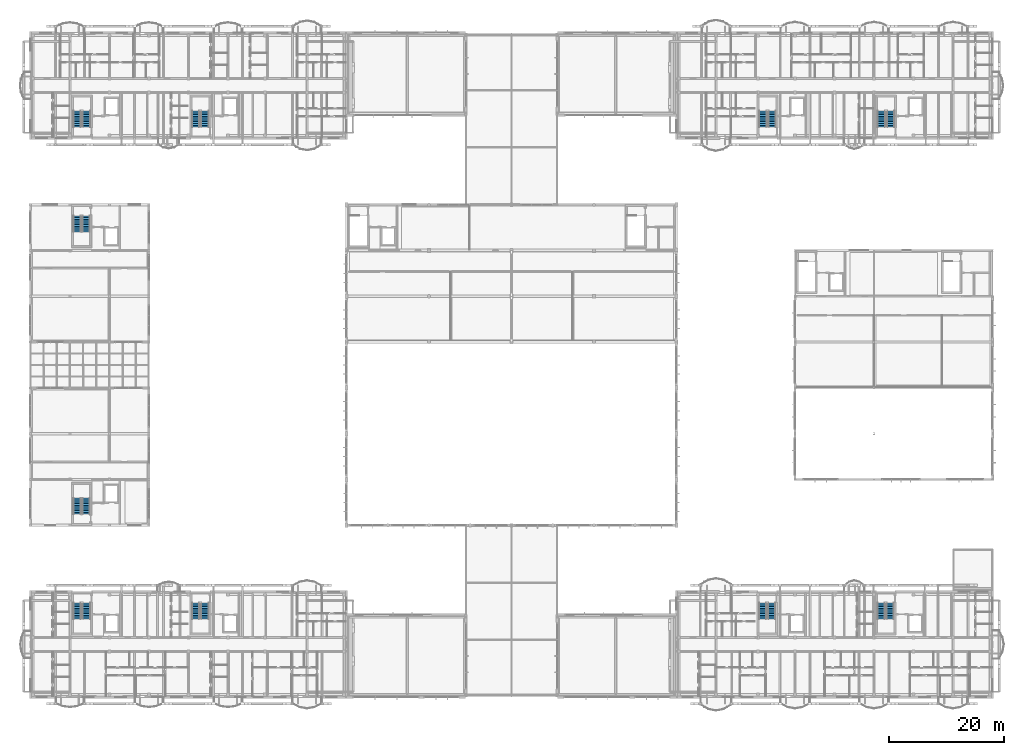
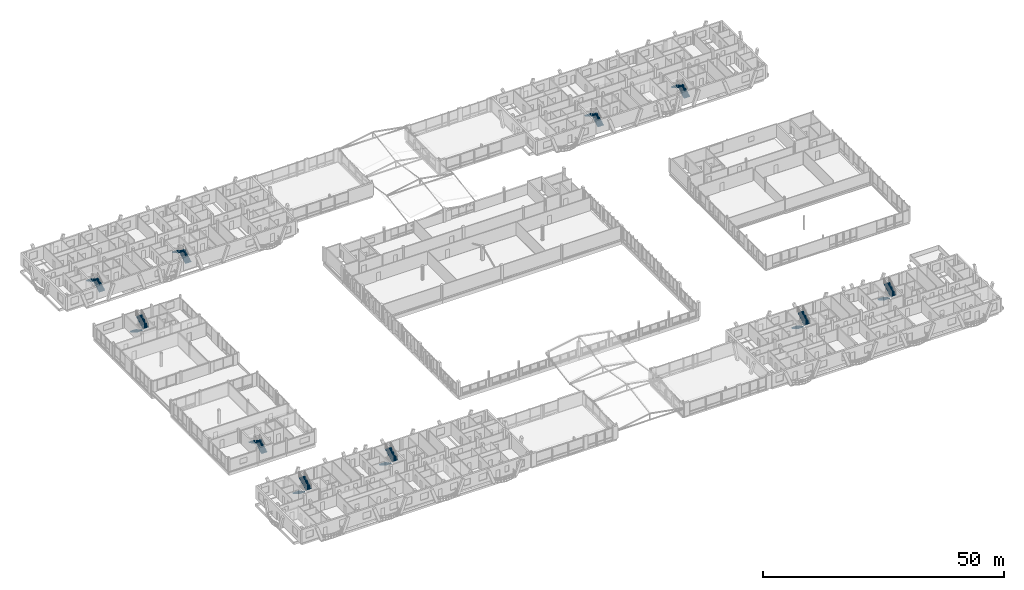
# One storey, part 168 of 189: 20 stair flights, 10 elements without a shape of their own.
"""IFC4 building model written with IfcOpenShell, lengths in metres."""

import ifcopenshell
import ifcopenshell.guid

model = None  # the IFC model being written
_history = None  # IfcOwnerHistory: only IFC2X3 demands one
_inside = {}  # id of a spatial element -> (the spatial element, [elements in it])
_under = {}  # id of a project, library or spatial element -> (it, [spatial elements below it])
_declared = {}  # id of a project -> (the project, [libraries it declares])
_typed = {}  # id of a type object -> (the type object, [elements of that type])
_made_of = {}  # id of a material, layer set ... -> (it, [elements and type objects made of it])


def new_model(schema):
    """Start an empty IFC model of exactly this schema.

    Asked for "IFC4X3", IfcOpenShell would pick the latest addendum, in which some entities
    have other attributes; the version numbers below select the first issue.
    IFC2X3 requires an IfcOwnerHistory on every rooted entity: one is made here for all.
    """
    global model, _history
    if schema == "IFC4X3":
        model = ifcopenshell.file(schema_version=(4, 3, 0, 0))
    else:
        model = ifcopenshell.file(schema=schema)
    _inside.clear()
    _under.clear()
    _declared.clear()
    _typed.clear()
    _made_of.clear()
    _history = None
    if model.schema == "IFC2X3":
        org = make("IfcOrganization", Name="unknown")
        user = make(
            "IfcPersonAndOrganization",
            ThePerson=make("IfcPerson", FamilyName="unknown"),
            TheOrganization=org,
        )
        app = make(
            "IfcApplication",
            ApplicationDeveloper=org,
            Version="unknown",
            ApplicationFullName="unknown",
            ApplicationIdentifier="unknown",
        )
        _history = make(
            "IfcOwnerHistory",
            OwningUser=user,
            OwningApplication=app,
            ChangeAction="ADDED",
            CreationDate=0,
        )
    return model


def make(cls, **values):
    """One entity of the class cls with the attributes given. An attribute that is None is left unset."""
    return model.create_entity(
        cls, **{name: value for name, value in values.items() if value is not None}
    )


def rooted(cls, **values):
    """An entity with a GlobalId (a new one), such as an element, a storey or a relation."""
    return make(cls, GlobalId=ifcopenshell.guid.new(), OwnerHistory=_history, **values)


def si_unit(unit_type, name, prefix=None):
    """IfcSIUnit, for example si_unit("LENGTHUNIT", "METRE", prefix="MILLI")."""
    return make("IfcSIUnit", UnitType=unit_type, Prefix=prefix, Name=name)


def assignment(units):
    """IfcUnitAssignment: the units of a project."""
    return None if units is None else make("IfcUnitAssignment", Units=units)


def point(xyz):
    """IfcCartesianPoint."""
    return None if xyz is None else make("IfcCartesianPoint", Coordinates=xyz)


def direction(xyz):
    """IfcDirection."""
    return None if xyz is None else make("IfcDirection", DirectionRatios=xyz)


def frame(location, z_axis=None, x_axis=None):
    """IfcAxis2Placement3D, a coordinate frame: its origin and axes. An axis left out is left unset."""
    return make(
        "IfcAxis2Placement3D",
        Location=point(location),
        Axis=direction(z_axis),
        RefDirection=direction(x_axis),
    )


def origin():
    """The frame at (0, 0, 0) with its axes left unset."""
    return frame((0.0, 0.0, 0.0))


def place(relative_to, where):
    """IfcLocalPlacement: puts the frame where relative to a parent placement (None: the world)."""
    return make(
        "IfcLocalPlacement", PlacementRelTo=relative_to, RelativePlacement=where
    )


def context(
    kind, dimensions, precision=None, world=None, true_north=None, identifier=None
):
    """IfcGeometricRepresentationContext, for example the 3D "Model" context."""
    return make(
        "IfcGeometricRepresentationContext",
        ContextIdentifier=identifier,
        ContextType=kind,
        CoordinateSpaceDimension=dimensions,
        Precision=precision,
        WorldCoordinateSystem=world,
        TrueNorth=true_north,
    )


def subcontext(parent, identifier, kind, view, scale=None):
    """IfcGeometricRepresentationSubContext, for example "Body" below "Model"."""
    return make(
        "IfcGeometricRepresentationSubContext",
        ContextIdentifier=identifier,
        ContextType=kind,
        ParentContext=parent,
        TargetScale=scale,
        TargetView=view,
    )


def project(units=None, contexts=None):
    """IfcProject with its units and contexts."""
    return rooted(
        "IfcProject",
        Name="project",
        RepresentationContexts=contexts,
        UnitsInContext=assignment(units),
    )


def spatial(cls, under=None, at=None, **own):
    """A site, building, storey or space (cls), placed at a placement, below another one or the project."""
    s = rooted(cls, ObjectPlacement=at, **own)
    if under is not None:
        _under.setdefault(under.id(), (under, []))[1].append(s)
    return s


def polyline(points):
    """IfcPolyline through the points."""
    return make("IfcPolyline", Points=[point(p) for p in points])


def outline(outer, holes=None, kind="AREA"):
    """IfcArbitraryClosedProfileDef: a profile drawn as a closed curve; with holes, ...WithVoids."""
    if holes is None:
        return make("IfcArbitraryClosedProfileDef", ProfileType=kind, OuterCurve=outer)
    return make(
        "IfcArbitraryProfileDefWithVoids",
        ProfileType=kind,
        OuterCurve=outer,
        InnerCurves=holes,
    )


def extrude(swept, where, along, depth):
    """IfcExtrudedAreaSolid: the profile swept, set in the frame where, extruded along a direction by depth."""
    return make(
        "IfcExtrudedAreaSolid",
        SweptArea=swept,
        Position=where,
        ExtrudedDirection=direction(along),
        Depth=depth,
    )


def shape(context_of_items, identifier, shape_type, items):
    """IfcShapeRepresentation: the items that make up one representation, for example the "Body"."""
    return make(
        "IfcShapeRepresentation",
        ContextOfItems=context_of_items,
        RepresentationIdentifier=identifier,
        RepresentationType=shape_type,
        Items=items,
    )


def material(Name=None, Category=None):
    """IfcMaterial."""
    return make("IfcMaterial", Name=Name, Category=Category)


def made_of(thing, what):
    """Note that an element or type object is made of a material, layer set ...; save() writes the relation."""
    if what is not None:
        _made_of.setdefault(what.id(), (what, []))[1].append(thing)
    return thing


def type_object(cls, material=None, **own):
    """A type object (cls), such as IfcWallType, which elements share."""
    return made_of(rooted(cls, **own), material)


def element(
    cls,
    number,
    at=None,
    inside=None,
    cuts=None,
    type_object=None,
    material=None,
    context=None,
    identifier="Body",
    shape_type=None,
    held_by="IfcProductDefinitionShape",
    body=None,
    shapes=None,
    **own,
):
    """One element of the class cls, such as IfcWall. Its Tag is "e" and its number.

    at: its placement. inside: the storey or other place that contains it. cuts: it is an
    opening in that element (IfcRelVoidsElement). A single representation is given by context,
    identifier, shape_type and body (its items); several are given by shapes. held_by: the class
    of the entity that holds the representations. save() writes the other relations.
    """
    e = rooted(cls, Tag="e%d" % number, ObjectPlacement=at, **own)
    if body is not None:
        shapes = [shape(context, identifier, shape_type, body)]
    if shapes is not None:
        e.Representation = make(held_by, Representations=shapes)
    if inside is not None:
        _inside.setdefault(inside.id(), (inside, []))[1].append(e)
    if cuts is not None:
        rooted(
            "IfcRelVoidsElement", RelatingBuildingElement=cuts, RelatedOpeningElement=e
        )
    if type_object is not None:
        _typed.setdefault(type_object.id(), (type_object, []))[1].append(e)
    return made_of(e, material)


def aggregate(whole, parts):
    """IfcRelAggregates: a whole, such as a stair, and the parts it consists of."""
    return rooted("IfcRelAggregates", RelatingObject=whole, RelatedObjects=parts)


def save(model, path):
    """Write the relations noted so far, then the file.

    IfcRelAggregates (storeys below a building ...), IfcRelContainedInSpatialStructure (elements
    in a storey), IfcRelDefinesByType, IfcRelAssociatesMaterial and IfcRelDeclares: one each for
    every whole, place, type object, material and project.
    """
    for whole, parts in _under.values():
        aggregate(whole, parts)
    for where, things in _inside.values():
        rooted(
            "IfcRelContainedInSpatialStructure",
            RelatedElements=things,
            RelatingStructure=where,
        )
    for kind, things in _typed.values():
        rooted("IfcRelDefinesByType", RelatedObjects=things, RelatingType=kind)
    for what, things in _made_of.values():
        rooted("IfcRelAssociatesMaterial", RelatedObjects=things, RelatingMaterial=what)
    for by, libraries in _declared.values():
        rooted("IfcRelDeclares", RelatingContext=by, RelatedDefinitions=libraries)
    model.write(path)


model = new_model("IFC4")

# Units and contexts
model_context = context("Model", 3, precision=1e-05, world=origin(), true_north=direction((0.0, 1.0)))
body_context = subcontext(model_context, "Body", "Model", "MODEL_VIEW")
ifc_project = project(units=[si_unit("LENGTHUNIT", "METRE"), si_unit("AREAUNIT", "SQUARE_METRE"), si_unit("VOLUMEUNIT", "CUBIC_METRE"), si_unit("PLANEANGLEUNIT", "RADIAN"), si_unit("MASSUNIT", "GRAM", prefix="KILO")], contexts=[model_context])

# Site, building, storey
site_placement = place(None, origin())
site = spatial("IfcSite", under=ifc_project, at=site_placement, CompositionType="ELEMENT")
building_placement = place(site_placement, origin())
building = spatial("IfcBuilding", under=site, at=building_placement, Name="Zavelmont Quarter", CompositionType="ELEMENT")
storey_placement = place(building_placement, frame((0.0, 0.0, 4.39990234375)))
storey = spatial("IfcBuildingStorey", under=building, at=storey_placement, Name="L01", CompositionType="ELEMENT", Elevation=4.39990234375)

# Stair, stair flights
ifc_material = material(Name="Concrete C35/45", Category="concrete")
stair_type_1 = type_object("IfcStairType", Name="STR-1350-1800", PredefinedType="HALF_TURN_STAIR", material=ifc_material)
stair_1_placement = place(storey_placement, origin())
stair_1 = element("IfcStair", 1, at=stair_1_placement, inside=storey, type_object=stair_type_1, Name="L01 protected stair ST07", PredefinedType="HALF_TURN_STAIR")
stair_flight_type_1 = type_object("IfcStairFlightType", Name="STF-1350-1800", PredefinedType="STRAIGHT", material=ifc_material)
stair_flight_1_placement = place(storey_placement, frame((127.875, 16.449951171875, 0.0), z_axis=(0.0, 0.0, 1.0), x_axis=(0.0, -1.0, 0.0)))
stair_flight_1 = element("IfcStairFlight", 2, at=stair_flight_1_placement, type_object=stair_flight_type_1, Name="ST07 flight 1", NumberOfRisers=10, NumberOfTreads=9, PredefinedType="STRAIGHT", RiserHeight=0.18, TreadLength=0.31, context=body_context, shape_type="SweptSolid", body=[
    extrude(outline(polyline([(0.0, 0.0), (0.0, 0.179931640625), (0.31005859375, 0.179931640625), (0.31005859375, 0.360107421875), (0.6201171875, 0.360107421875), (0.6201171875, 0.5400390625), (0.929931640625, 0.5400390625), (0.929931640625, 0.719970703125), (1.239990234375, 0.719970703125), (1.239990234375, 0.89990234375), (1.550048828125, 0.89990234375), (1.550048828125, 1.080078125), (1.860107421875, 1.080078125), (1.860107421875, 1.260009765625), (2.169921875, 1.260009765625), (2.169921875, 1.43994140625), (2.47998046875, 1.43994140625), (2.47998046875, 1.6201171875), (2.7900390625, 1.6201171875), (2.7900390625, 1.800048828125), (2.7900390625, 1.43505859375), (0.318359375, 0.0), (0.0, 0.0)])), frame((0.0, 0.675048828125, 0.0), z_axis=(0.0, -1.0, 0.0), x_axis=(1.0, 0.0, 0.0)), (0.0, 0.0, 1.0), 1.35009765625),
])
stair_flight_2_placement = place(storey_placement, frame((129.425048828125, 13.659912109375, 1.800048828125), z_axis=(0.0, 0.0, 1.0), x_axis=(0.0, 1.0, 0.0)))
stair_flight_2 = element("IfcStairFlight", 3, at=stair_flight_2_placement, type_object=stair_flight_type_1, Name="ST07 flight 2", NumberOfRisers=10, NumberOfTreads=9, PredefinedType="STRAIGHT", RiserHeight=0.18, TreadLength=0.31, context=body_context, shape_type="SweptSolid", body=[
    extrude(outline(polyline([(0.0, 0.0), (0.0, 0.179931640625), (0.31005859375, 0.179931640625), (0.31005859375, 0.360107421875), (0.6201171875, 0.360107421875), (0.6201171875, 0.5400390625), (0.929931640625, 0.5400390625), (0.929931640625, 0.719970703125), (1.239990234375, 0.719970703125), (1.239990234375, 0.89990234375), (1.550048828125, 0.89990234375), (1.550048828125, 1.080078125), (1.860107421875, 1.080078125), (1.860107421875, 1.260009765625), (2.169921875, 1.260009765625), (2.169921875, 1.43994140625), (2.47998046875, 1.43994140625), (2.47998046875, 1.6201171875), (2.7900390625, 1.6201171875), (2.7900390625, 1.800048828125), (2.7900390625, 1.43505859375), (0.318359375, 0.0), (0.0, 0.0)])), frame((0.0, 0.675048828125, 0.0), z_axis=(0.0, -1.0, 0.0), x_axis=(1.0, 0.0, 0.0)), (0.0, 0.0, 1.0), 1.35009765625),
])
aggregate(stair_1, [stair_flight_1, stair_flight_2])

stair_2_placement = place(storey_placement, origin())
stair_2 = element("IfcStair", 4, at=stair_2_placement, inside=storey, type_object=stair_type_1, Name="L01 protected stair ST08", PredefinedType="HALF_TURN_STAIR")
stair_flight_3_placement = place(storey_placement, frame((148.574951171875, 16.449951171875, 0.0), z_axis=(0.0, 0.0, 1.0), x_axis=(0.0, -1.0, 0.0)))
stair_flight_3 = element("IfcStairFlight", 5, at=stair_flight_3_placement, type_object=stair_flight_type_1, Name="ST08 flight 1", NumberOfRisers=10, NumberOfTreads=9, PredefinedType="STRAIGHT", RiserHeight=0.18, TreadLength=0.31, context=body_context, shape_type="SweptSolid", body=[
    extrude(outline(polyline([(0.0, 0.0), (0.0, 0.179931640625), (0.31005859375, 0.179931640625), (0.31005859375, 0.360107421875), (0.6201171875, 0.360107421875), (0.6201171875, 0.5400390625), (0.929931640625, 0.5400390625), (0.929931640625, 0.719970703125), (1.239990234375, 0.719970703125), (1.239990234375, 0.89990234375), (1.550048828125, 0.89990234375), (1.550048828125, 1.080078125), (1.860107421875, 1.080078125), (1.860107421875, 1.260009765625), (2.169921875, 1.260009765625), (2.169921875, 1.43994140625), (2.47998046875, 1.43994140625), (2.47998046875, 1.6201171875), (2.7900390625, 1.6201171875), (2.7900390625, 1.800048828125), (2.7900390625, 1.43505859375), (0.318359375, 0.0), (0.0, 0.0)])), frame((0.0, 0.675048828125, 0.0), z_axis=(0.0, -1.0, 0.0), x_axis=(1.0, 0.0, 0.0)), (0.0, 0.0, 1.0), 1.35009765625),
])
stair_flight_4_placement = place(storey_placement, frame((150.125, 13.659912109375, 1.800048828125), z_axis=(0.0, 0.0, 1.0), x_axis=(0.0, 1.0, 0.0)))
stair_flight_4 = element("IfcStairFlight", 6, at=stair_flight_4_placement, type_object=stair_flight_type_1, Name="ST08 flight 2", NumberOfRisers=10, NumberOfTreads=9, PredefinedType="STRAIGHT", RiserHeight=0.18, TreadLength=0.31, context=body_context, shape_type="SweptSolid", body=[
    extrude(outline(polyline([(0.0, 0.0), (0.0, 0.179931640625), (0.31005859375, 0.179931640625), (0.31005859375, 0.360107421875), (0.6201171875, 0.360107421875), (0.6201171875, 0.5400390625), (0.929931640625, 0.5400390625), (0.929931640625, 0.719970703125), (1.239990234375, 0.719970703125), (1.239990234375, 0.89990234375), (1.550048828125, 0.89990234375), (1.550048828125, 1.080078125), (1.860107421875, 1.080078125), (1.860107421875, 1.260009765625), (2.169921875, 1.260009765625), (2.169921875, 1.43994140625), (2.47998046875, 1.43994140625), (2.47998046875, 1.6201171875), (2.7900390625, 1.6201171875), (2.7900390625, 1.800048828125), (2.7900390625, 1.43505859375), (0.318359375, 0.0), (0.0, 0.0)])), frame((0.0, 0.675048828125, 0.0), z_axis=(0.0, -1.0, 0.0), x_axis=(1.0, 0.0, 0.0)), (0.0, 0.0, 1.0), 1.35009765625),
])
aggregate(stair_2, [stair_flight_3, stair_flight_4])

stair_3_placement = place(storey_placement, origin())
stair_3 = element("IfcStair", 7, at=stair_3_placement, inside=storey, type_object=stair_type_1, Name="L01 protected stair ST13", PredefinedType="HALF_TURN_STAIR")
stair_flight_5_placement = place(storey_placement, frame((9.72509765625, 31.949951171875, 0.0), z_axis=(0.0, 0.0, 1.0), x_axis=(0.0, 1.0, 0.0)))
stair_flight_5 = element("IfcStairFlight", 8, at=stair_flight_5_placement, type_object=stair_flight_type_1, Name="ST13 flight 1", NumberOfRisers=10, NumberOfTreads=9, PredefinedType="STRAIGHT", RiserHeight=0.18, TreadLength=0.31, context=body_context, shape_type="SweptSolid", body=[
    extrude(outline(polyline([(0.0, 0.0), (0.0, 0.179931640625), (0.31005859375, 0.179931640625), (0.31005859375, 0.360107421875), (0.6201171875, 0.360107421875), (0.6201171875, 0.5400390625), (0.929931640625, 0.5400390625), (0.929931640625, 0.719970703125), (1.239990234375, 0.719970703125), (1.239990234375, 0.89990234375), (1.550048828125, 0.89990234375), (1.550048828125, 1.080078125), (1.860107421875, 1.080078125), (1.860107421875, 1.260009765625), (2.169921875, 1.260009765625), (2.169921875, 1.43994140625), (2.47998046875, 1.43994140625), (2.47998046875, 1.6201171875), (2.7900390625, 1.6201171875), (2.7900390625, 1.800048828125), (2.7900390625, 1.43505859375), (0.318359375, 0.0), (0.0, 0.0)])), frame((0.0, 0.675048828125, 0.0), z_axis=(0.0, -1.0, 0.0), x_axis=(1.0, 0.0, 0.0)), (0.0, 0.0, 1.0), 1.35009765625),
])
stair_flight_6_placement = place(storey_placement, frame((8.175048828125, 34.739990234375, 1.800048828125), z_axis=(0.0, 0.0, 1.0), x_axis=(0.0, -1.0, 0.0)))
stair_flight_6 = element("IfcStairFlight", 9, at=stair_flight_6_placement, type_object=stair_flight_type_1, Name="ST13 flight 2", NumberOfRisers=10, NumberOfTreads=9, PredefinedType="STRAIGHT", RiserHeight=0.18, TreadLength=0.31, context=body_context, shape_type="SweptSolid", body=[
    extrude(outline(polyline([(0.0, 0.0), (0.0, 0.179931640625), (0.31005859375, 0.179931640625), (0.31005859375, 0.360107421875), (0.6201171875, 0.360107421875), (0.6201171875, 0.5400390625), (0.929931640625, 0.5400390625), (0.929931640625, 0.719970703125), (1.239990234375, 0.719970703125), (1.239990234375, 0.89990234375), (1.550048828125, 0.89990234375), (1.550048828125, 1.080078125), (1.860107421875, 1.080078125), (1.860107421875, 1.260009765625), (2.169921875, 1.260009765625), (2.169921875, 1.43994140625), (2.47998046875, 1.43994140625), (2.47998046875, 1.6201171875), (2.7900390625, 1.6201171875), (2.7900390625, 1.800048828125), (2.7900390625, 1.43505859375), (0.318359375, 0.0), (0.0, 0.0)])), frame((0.0, 0.675048828125, 0.0), z_axis=(0.0, -1.0, 0.0), x_axis=(1.0, 0.0, 0.0)), (0.0, 0.0, 1.0), 1.35009765625),
])
aggregate(stair_3, [stair_flight_5, stair_flight_6])

stair_4_placement = place(storey_placement, origin())
stair_4 = element("IfcStair", 10, at=stair_4_placement, inside=storey, type_object=stair_type_1, Name="L01 protected stair ST14", PredefinedType="HALF_TURN_STAIR")
stair_flight_7_placement = place(storey_placement, frame((8.175048828125, 84.050048828125, 0.0), z_axis=(0.0, 0.0, 1.0), x_axis=(0.0, -1.0, 0.0)))
stair_flight_7 = element("IfcStairFlight", 11, at=stair_flight_7_placement, type_object=stair_flight_type_1, Name="ST14 flight 1", NumberOfRisers=10, NumberOfTreads=9, PredefinedType="STRAIGHT", RiserHeight=0.18, TreadLength=0.31, context=body_context, shape_type="SweptSolid", body=[
    extrude(outline(polyline([(0.0, 0.0), (0.0, 0.179931640625), (0.31005859375, 0.179931640625), (0.31005859375, 0.360107421875), (0.6201171875, 0.360107421875), (0.6201171875, 0.5400390625), (0.929931640625, 0.5400390625), (0.929931640625, 0.719970703125), (1.239990234375, 0.719970703125), (1.239990234375, 0.89990234375), (1.550048828125, 0.89990234375), (1.550048828125, 1.080078125), (1.860107421875, 1.080078125), (1.860107421875, 1.260009765625), (2.169921875, 1.260009765625), (2.169921875, 1.43994140625), (2.47998046875, 1.43994140625), (2.47998046875, 1.6201171875), (2.7900390625, 1.6201171875), (2.7900390625, 1.800048828125), (2.7900390625, 1.43505859375), (0.318359375, 0.0), (0.0, 0.0)])), frame((0.0, 0.675048828125, 0.0), z_axis=(0.0, -1.0, 0.0), x_axis=(1.0, 0.0, 0.0)), (0.0, 0.0, 1.0), 1.35009765625),
])
stair_flight_8_placement = place(storey_placement, frame((9.72509765625, 81.260009765625, 1.800048828125), z_axis=(0.0, 0.0, 1.0), x_axis=(0.0, 1.0, 0.0)))
stair_flight_8 = element("IfcStairFlight", 12, at=stair_flight_8_placement, type_object=stair_flight_type_1, Name="ST14 flight 2", NumberOfRisers=10, NumberOfTreads=9, PredefinedType="STRAIGHT", RiserHeight=0.18, TreadLength=0.31, context=body_context, shape_type="SweptSolid", body=[
    extrude(outline(polyline([(0.0, 0.0), (0.0, 0.179931640625), (0.31005859375, 0.179931640625), (0.31005859375, 0.360107421875), (0.6201171875, 0.360107421875), (0.6201171875, 0.5400390625), (0.929931640625, 0.5400390625), (0.929931640625, 0.719970703125), (1.239990234375, 0.719970703125), (1.239990234375, 0.89990234375), (1.550048828125, 0.89990234375), (1.550048828125, 1.080078125), (1.860107421875, 1.080078125), (1.860107421875, 1.260009765625), (2.169921875, 1.260009765625), (2.169921875, 1.43994140625), (2.47998046875, 1.43994140625), (2.47998046875, 1.6201171875), (2.7900390625, 1.6201171875), (2.7900390625, 1.800048828125), (2.7900390625, 1.43505859375), (0.318359375, 0.0), (0.0, 0.0)])), frame((0.0, 0.675048828125, 0.0), z_axis=(0.0, -1.0, 0.0), x_axis=(1.0, 0.0, 0.0)), (0.0, 0.0, 1.0), 1.35009765625),
])
aggregate(stair_4, [stair_flight_7, stair_flight_8])

stair_type_2 = type_object("IfcStairType", Name="STR-1400-1800", PredefinedType="HALF_TURN_STAIR", material=ifc_material)
stair_5_placement = place(storey_placement, origin())
stair_5 = element("IfcStair", 13, at=stair_5_placement, inside=storey, type_object=stair_type_2, Name="L01 protected stair ST01", PredefinedType="HALF_TURN_STAIR")
stair_flight_type_2 = type_object("IfcStairFlightType", Name="STF-1400-1800", PredefinedType="STRAIGHT", material=ifc_material)
stair_flight_9_placement = place(storey_placement, frame((8.199951171875, 16.449951171875, 0.0), z_axis=(0.0, 0.0, 1.0), x_axis=(0.0, -1.0, 0.0)))
stair_flight_9 = element("IfcStairFlight", 14, at=stair_flight_9_placement, type_object=stair_flight_type_2, Name="ST01 flight 1", NumberOfRisers=10, NumberOfTreads=9, PredefinedType="STRAIGHT", RiserHeight=0.18, TreadLength=0.31, context=body_context, shape_type="SweptSolid", body=[
    extrude(outline(polyline([(0.0, 0.0), (0.0, 0.179931640625), (0.31005859375, 0.179931640625), (0.31005859375, 0.360107421875), (0.6201171875, 0.360107421875), (0.6201171875, 0.5400390625), (0.929931640625, 0.5400390625), (0.929931640625, 0.719970703125), (1.239990234375, 0.719970703125), (1.239990234375, 0.89990234375), (1.550048828125, 0.89990234375), (1.550048828125, 1.080078125), (1.860107421875, 1.080078125), (1.860107421875, 1.260009765625), (2.169921875, 1.260009765625), (2.169921875, 1.43994140625), (2.47998046875, 1.43994140625), (2.47998046875, 1.6201171875), (2.7900390625, 1.6201171875), (2.7900390625, 1.800048828125), (2.7900390625, 1.43505859375), (0.318359375, 0.0), (0.0, 0.0)])), frame((0.0, 0.699951171875, 0.0), z_axis=(0.0, -1.0, 0.0), x_axis=(1.0, 0.0, 0.0)), (0.0, 0.0, 1.0), 1.39990234375),
])
stair_flight_10_placement = place(storey_placement, frame((9.800048828125, 13.659912109375, 1.800048828125), z_axis=(0.0, 0.0, 1.0), x_axis=(0.0, 1.0, 0.0)))
stair_flight_10 = element("IfcStairFlight", 15, at=stair_flight_10_placement, type_object=stair_flight_type_2, Name="ST01 flight 2", NumberOfRisers=10, NumberOfTreads=9, PredefinedType="STRAIGHT", RiserHeight=0.18, TreadLength=0.31, context=body_context, shape_type="SweptSolid", body=[
    extrude(outline(polyline([(0.0, 0.0), (0.0, 0.179931640625), (0.31005859375, 0.179931640625), (0.31005859375, 0.360107421875), (0.6201171875, 0.360107421875), (0.6201171875, 0.5400390625), (0.929931640625, 0.5400390625), (0.929931640625, 0.719970703125), (1.239990234375, 0.719970703125), (1.239990234375, 0.89990234375), (1.550048828125, 0.89990234375), (1.550048828125, 1.080078125), (1.860107421875, 1.080078125), (1.860107421875, 1.260009765625), (2.169921875, 1.260009765625), (2.169921875, 1.43994140625), (2.47998046875, 1.43994140625), (2.47998046875, 1.6201171875), (2.7900390625, 1.6201171875), (2.7900390625, 1.800048828125), (2.7900390625, 1.43505859375), (0.318359375, 0.0), (0.0, 0.0)])), frame((0.0, 0.699951171875, 0.0), z_axis=(0.0, -1.0, 0.0), x_axis=(1.0, 0.0, 0.0)), (0.0, 0.0, 1.0), 1.39990234375),
])
aggregate(stair_5, [stair_flight_9, stair_flight_10])

stair_6_placement = place(storey_placement, origin())
stair_6 = element("IfcStair", 16, at=stair_6_placement, inside=storey, type_object=stair_type_2, Name="L01 protected stair ST02", PredefinedType="HALF_TURN_STAIR")
stair_flight_11_placement = place(storey_placement, frame((28.89990234375, 16.449951171875, 0.0), z_axis=(0.0, 0.0, 1.0), x_axis=(0.0, -1.0, 0.0)))
stair_flight_11 = element("IfcStairFlight", 17, at=stair_flight_11_placement, type_object=stair_flight_type_2, Name="ST02 flight 1", NumberOfRisers=10, NumberOfTreads=9, PredefinedType="STRAIGHT", RiserHeight=0.18, TreadLength=0.31, context=body_context, shape_type="SweptSolid", body=[
    extrude(outline(polyline([(0.0, 0.0), (0.0, 0.179931640625), (0.31005859375, 0.179931640625), (0.31005859375, 0.360107421875), (0.6201171875, 0.360107421875), (0.6201171875, 0.5400390625), (0.929931640625, 0.5400390625), (0.929931640625, 0.719970703125), (1.239990234375, 0.719970703125), (1.239990234375, 0.89990234375), (1.550048828125, 0.89990234375), (1.550048828125, 1.080078125), (1.860107421875, 1.080078125), (1.860107421875, 1.260009765625), (2.169921875, 1.260009765625), (2.169921875, 1.43994140625), (2.47998046875, 1.43994140625), (2.47998046875, 1.6201171875), (2.7900390625, 1.6201171875), (2.7900390625, 1.800048828125), (2.7900390625, 1.43505859375), (0.318359375, 0.0), (0.0, 0.0)])), frame((0.0, 0.699951171875, 0.0), z_axis=(0.0, -1.0, 0.0), x_axis=(1.0, 0.0, 0.0)), (0.0, 0.0, 1.0), 1.39990234375),
])
stair_flight_12_placement = place(storey_placement, frame((30.5, 13.659912109375, 1.800048828125), z_axis=(0.0, 0.0, 1.0), x_axis=(0.0, 1.0, 0.0)))
stair_flight_12 = element("IfcStairFlight", 18, at=stair_flight_12_placement, type_object=stair_flight_type_2, Name="ST02 flight 2", NumberOfRisers=10, NumberOfTreads=9, PredefinedType="STRAIGHT", RiserHeight=0.18, TreadLength=0.31, context=body_context, shape_type="SweptSolid", body=[
    extrude(outline(polyline([(0.0, 0.0), (0.0, 0.179931640625), (0.31005859375, 0.179931640625), (0.31005859375, 0.360107421875), (0.6201171875, 0.360107421875), (0.6201171875, 0.5400390625), (0.929931640625, 0.5400390625), (0.929931640625, 0.719970703125), (1.239990234375, 0.719970703125), (1.239990234375, 0.89990234375), (1.550048828125, 0.89990234375), (1.550048828125, 1.080078125), (1.860107421875, 1.080078125), (1.860107421875, 1.260009765625), (2.169921875, 1.260009765625), (2.169921875, 1.43994140625), (2.47998046875, 1.43994140625), (2.47998046875, 1.6201171875), (2.7900390625, 1.6201171875), (2.7900390625, 1.800048828125), (2.7900390625, 1.43505859375), (0.318359375, 0.0), (0.0, 0.0)])), frame((0.0, 0.699951171875, 0.0), z_axis=(0.0, -1.0, 0.0), x_axis=(1.0, 0.0, 0.0)), (0.0, 0.0, 1.0), 1.39990234375),
])
aggregate(stair_6, [stair_flight_11, stair_flight_12])

stair_7_placement = place(storey_placement, origin())
stair_7 = element("IfcStair", 19, at=stair_7_placement, inside=storey, type_object=stair_type_2, Name="L01 protected stair ST03", PredefinedType="HALF_TURN_STAIR")
stair_flight_13_placement = place(storey_placement, frame((9.800048828125, 99.550048828125, 0.0), z_axis=(0.0, 0.0, 1.0), x_axis=(0.0, 1.0, 0.0)))
stair_flight_13 = element("IfcStairFlight", 20, at=stair_flight_13_placement, type_object=stair_flight_type_2, Name="ST03 flight 1", NumberOfRisers=10, NumberOfTreads=9, PredefinedType="STRAIGHT", RiserHeight=0.18, TreadLength=0.31, context=body_context, shape_type="SweptSolid", body=[
    extrude(outline(polyline([(0.0, 0.0), (0.0, 0.179931640625), (0.31005859375, 0.179931640625), (0.31005859375, 0.360107421875), (0.6201171875, 0.360107421875), (0.6201171875, 0.5400390625), (0.929931640625, 0.5400390625), (0.929931640625, 0.719970703125), (1.239990234375, 0.719970703125), (1.239990234375, 0.89990234375), (1.550048828125, 0.89990234375), (1.550048828125, 1.080078125), (1.860107421875, 1.080078125), (1.860107421875, 1.260009765625), (2.169921875, 1.260009765625), (2.169921875, 1.43994140625), (2.47998046875, 1.43994140625), (2.47998046875, 1.6201171875), (2.7900390625, 1.6201171875), (2.7900390625, 1.800048828125), (2.7900390625, 1.43505859375), (0.318359375, 0.0), (0.0, 0.0)])), frame((0.0, 0.699951171875, 0.0), z_axis=(0.0, -1.0, 0.0), x_axis=(1.0, 0.0, 0.0)), (0.0, 0.0, 1.0), 1.39990234375),
])
stair_flight_14_placement = place(storey_placement, frame((8.199951171875, 102.340087890625, 1.800048828125), z_axis=(0.0, 0.0, 1.0), x_axis=(0.0, -1.0, 0.0)))
stair_flight_14 = element("IfcStairFlight", 21, at=stair_flight_14_placement, type_object=stair_flight_type_2, Name="ST03 flight 2", NumberOfRisers=10, NumberOfTreads=9, PredefinedType="STRAIGHT", RiserHeight=0.18, TreadLength=0.31, context=body_context, shape_type="SweptSolid", body=[
    extrude(outline(polyline([(0.0, 0.0), (0.0, 0.179931640625), (0.31005859375, 0.179931640625), (0.31005859375, 0.360107421875), (0.6201171875, 0.360107421875), (0.6201171875, 0.5400390625), (0.929931640625, 0.5400390625), (0.929931640625, 0.719970703125), (1.239990234375, 0.719970703125), (1.239990234375, 0.89990234375), (1.550048828125, 0.89990234375), (1.550048828125, 1.080078125), (1.860107421875, 1.080078125), (1.860107421875, 1.260009765625), (2.169921875, 1.260009765625), (2.169921875, 1.43994140625), (2.47998046875, 1.43994140625), (2.47998046875, 1.6201171875), (2.7900390625, 1.6201171875), (2.7900390625, 1.800048828125), (2.7900390625, 1.43505859375), (0.318359375, 0.0), (0.0, 0.0)])), frame((0.0, 0.699951171875, 0.0), z_axis=(0.0, -1.0, 0.0), x_axis=(1.0, 0.0, 0.0)), (0.0, 0.0, 1.0), 1.39990234375),
])
aggregate(stair_7, [stair_flight_13, stair_flight_14])

stair_8_placement = place(storey_placement, origin())
stair_8 = element("IfcStair", 22, at=stair_8_placement, inside=storey, type_object=stair_type_2, Name="L01 protected stair ST04", PredefinedType="HALF_TURN_STAIR")
stair_flight_15_placement = place(storey_placement, frame((30.5, 99.550048828125, 0.0), z_axis=(0.0, 0.0, 1.0), x_axis=(0.0, 1.0, 0.0)))
stair_flight_15 = element("IfcStairFlight", 23, at=stair_flight_15_placement, type_object=stair_flight_type_2, Name="ST04 flight 1", NumberOfRisers=10, NumberOfTreads=9, PredefinedType="STRAIGHT", RiserHeight=0.18, TreadLength=0.31, context=body_context, shape_type="SweptSolid", body=[
    extrude(outline(polyline([(0.0, 0.0), (0.0, 0.179931640625), (0.31005859375, 0.179931640625), (0.31005859375, 0.360107421875), (0.6201171875, 0.360107421875), (0.6201171875, 0.5400390625), (0.929931640625, 0.5400390625), (0.929931640625, 0.719970703125), (1.239990234375, 0.719970703125), (1.239990234375, 0.89990234375), (1.550048828125, 0.89990234375), (1.550048828125, 1.080078125), (1.860107421875, 1.080078125), (1.860107421875, 1.260009765625), (2.169921875, 1.260009765625), (2.169921875, 1.43994140625), (2.47998046875, 1.43994140625), (2.47998046875, 1.6201171875), (2.7900390625, 1.6201171875), (2.7900390625, 1.800048828125), (2.7900390625, 1.43505859375), (0.318359375, 0.0), (0.0, 0.0)])), frame((0.0, 0.699951171875, 0.0), z_axis=(0.0, -1.0, 0.0), x_axis=(1.0, 0.0, 0.0)), (0.0, 0.0, 1.0), 1.39990234375),
])
stair_flight_16_placement = place(storey_placement, frame((28.89990234375, 102.340087890625, 1.800048828125), z_axis=(0.0, 0.0, 1.0), x_axis=(0.0, -1.0, 0.0)))
stair_flight_16 = element("IfcStairFlight", 24, at=stair_flight_16_placement, type_object=stair_flight_type_2, Name="ST04 flight 2", NumberOfRisers=10, NumberOfTreads=9, PredefinedType="STRAIGHT", RiserHeight=0.18, TreadLength=0.31, context=body_context, shape_type="SweptSolid", body=[
    extrude(outline(polyline([(0.0, 0.0), (0.0, 0.179931640625), (0.31005859375, 0.179931640625), (0.31005859375, 0.360107421875), (0.6201171875, 0.360107421875), (0.6201171875, 0.5400390625), (0.929931640625, 0.5400390625), (0.929931640625, 0.719970703125), (1.239990234375, 0.719970703125), (1.239990234375, 0.89990234375), (1.550048828125, 0.89990234375), (1.550048828125, 1.080078125), (1.860107421875, 1.080078125), (1.860107421875, 1.260009765625), (2.169921875, 1.260009765625), (2.169921875, 1.43994140625), (2.47998046875, 1.43994140625), (2.47998046875, 1.6201171875), (2.7900390625, 1.6201171875), (2.7900390625, 1.800048828125), (2.7900390625, 1.43505859375), (0.318359375, 0.0), (0.0, 0.0)])), frame((0.0, 0.699951171875, 0.0), z_axis=(0.0, -1.0, 0.0), x_axis=(1.0, 0.0, 0.0)), (0.0, 0.0, 1.0), 1.39990234375),
])
aggregate(stair_8, [stair_flight_15, stair_flight_16])

stair_9_placement = place(storey_placement, origin())
stair_9 = element("IfcStair", 25, at=stair_9_placement, inside=storey, type_object=stair_type_2, Name="L01 protected stair ST05", PredefinedType="HALF_TURN_STAIR")
stair_flight_17_placement = place(storey_placement, frame((129.5, 99.550048828125, 0.0), z_axis=(0.0, 0.0, 1.0), x_axis=(0.0, 1.0, 0.0)))
stair_flight_17 = element("IfcStairFlight", 26, at=stair_flight_17_placement, type_object=stair_flight_type_2, Name="ST05 flight 1", NumberOfRisers=10, NumberOfTreads=9, PredefinedType="STRAIGHT", RiserHeight=0.18, TreadLength=0.31, context=body_context, shape_type="SweptSolid", body=[
    extrude(outline(polyline([(0.0, 0.0), (0.0, 0.179931640625), (0.31005859375, 0.179931640625), (0.31005859375, 0.360107421875), (0.6201171875, 0.360107421875), (0.6201171875, 0.5400390625), (0.929931640625, 0.5400390625), (0.929931640625, 0.719970703125), (1.239990234375, 0.719970703125), (1.239990234375, 0.89990234375), (1.550048828125, 0.89990234375), (1.550048828125, 1.080078125), (1.860107421875, 1.080078125), (1.860107421875, 1.260009765625), (2.169921875, 1.260009765625), (2.169921875, 1.43994140625), (2.47998046875, 1.43994140625), (2.47998046875, 1.6201171875), (2.7900390625, 1.6201171875), (2.7900390625, 1.800048828125), (2.7900390625, 1.43505859375), (0.318359375, 0.0), (0.0, 0.0)])), frame((0.0, 0.699951171875, 0.0), z_axis=(0.0, -1.0, 0.0), x_axis=(1.0, 0.0, 0.0)), (0.0, 0.0, 1.0), 1.39990234375),
])
stair_flight_18_placement = place(storey_placement, frame((127.89990234375, 102.340087890625, 1.800048828125), z_axis=(0.0, 0.0, 1.0), x_axis=(0.0, -1.0, 0.0)))
stair_flight_18 = element("IfcStairFlight", 27, at=stair_flight_18_placement, type_object=stair_flight_type_2, Name="ST05 flight 2", NumberOfRisers=10, NumberOfTreads=9, PredefinedType="STRAIGHT", RiserHeight=0.18, TreadLength=0.31, context=body_context, shape_type="SweptSolid", body=[
    extrude(outline(polyline([(0.0, 0.0), (0.0, 0.179931640625), (0.31005859375, 0.179931640625), (0.31005859375, 0.360107421875), (0.6201171875, 0.360107421875), (0.6201171875, 0.5400390625), (0.929931640625, 0.5400390625), (0.929931640625, 0.719970703125), (1.239990234375, 0.719970703125), (1.239990234375, 0.89990234375), (1.550048828125, 0.89990234375), (1.550048828125, 1.080078125), (1.860107421875, 1.080078125), (1.860107421875, 1.260009765625), (2.169921875, 1.260009765625), (2.169921875, 1.43994140625), (2.47998046875, 1.43994140625), (2.47998046875, 1.6201171875), (2.7900390625, 1.6201171875), (2.7900390625, 1.800048828125), (2.7900390625, 1.43505859375), (0.318359375, 0.0), (0.0, 0.0)])), frame((0.0, 0.699951171875, 0.0), z_axis=(0.0, -1.0, 0.0), x_axis=(1.0, 0.0, 0.0)), (0.0, 0.0, 1.0), 1.39990234375),
])
aggregate(stair_9, [stair_flight_17, stair_flight_18])

stair_10_placement = place(storey_placement, origin())
stair_10 = element("IfcStair", 28, at=stair_10_placement, inside=storey, type_object=stair_type_2, Name="L01 protected stair ST06", PredefinedType="HALF_TURN_STAIR")
stair_flight_19_placement = place(storey_placement, frame((150.199951171875, 99.550048828125, 0.0), z_axis=(0.0, 0.0, 1.0), x_axis=(0.0, 1.0, 0.0)))
stair_flight_19 = element("IfcStairFlight", 29, at=stair_flight_19_placement, type_object=stair_flight_type_2, Name="ST06 flight 1", NumberOfRisers=10, NumberOfTreads=9, PredefinedType="STRAIGHT", RiserHeight=0.18, TreadLength=0.31, context=body_context, shape_type="SweptSolid", body=[
    extrude(outline(polyline([(0.0, 0.0), (0.0, 0.179931640625), (0.31005859375, 0.179931640625), (0.31005859375, 0.360107421875), (0.6201171875, 0.360107421875), (0.6201171875, 0.5400390625), (0.929931640625, 0.5400390625), (0.929931640625, 0.719970703125), (1.239990234375, 0.719970703125), (1.239990234375, 0.89990234375), (1.550048828125, 0.89990234375), (1.550048828125, 1.080078125), (1.860107421875, 1.080078125), (1.860107421875, 1.260009765625), (2.169921875, 1.260009765625), (2.169921875, 1.43994140625), (2.47998046875, 1.43994140625), (2.47998046875, 1.6201171875), (2.7900390625, 1.6201171875), (2.7900390625, 1.800048828125), (2.7900390625, 1.43505859375), (0.318359375, 0.0), (0.0, 0.0)])), frame((0.0, 0.699951171875, 0.0), z_axis=(0.0, -1.0, 0.0), x_axis=(1.0, 0.0, 0.0)), (0.0, 0.0, 1.0), 1.39990234375),
])
stair_flight_20_placement = place(storey_placement, frame((148.60009765625, 102.340087890625, 1.800048828125), z_axis=(0.0, 0.0, 1.0), x_axis=(0.0, -1.0, 0.0)))
stair_flight_20 = element("IfcStairFlight", 30, at=stair_flight_20_placement, type_object=stair_flight_type_2, Name="ST06 flight 2", NumberOfRisers=10, NumberOfTreads=9, PredefinedType="STRAIGHT", RiserHeight=0.18, TreadLength=0.31, context=body_context, shape_type="SweptSolid", body=[
    extrude(outline(polyline([(0.0, 0.0), (0.0, 0.179931640625), (0.31005859375, 0.179931640625), (0.31005859375, 0.360107421875), (0.6201171875, 0.360107421875), (0.6201171875, 0.5400390625), (0.929931640625, 0.5400390625), (0.929931640625, 0.719970703125), (1.239990234375, 0.719970703125), (1.239990234375, 0.89990234375), (1.550048828125, 0.89990234375), (1.550048828125, 1.080078125), (1.860107421875, 1.080078125), (1.860107421875, 1.260009765625), (2.169921875, 1.260009765625), (2.169921875, 1.43994140625), (2.47998046875, 1.43994140625), (2.47998046875, 1.6201171875), (2.7900390625, 1.6201171875), (2.7900390625, 1.800048828125), (2.7900390625, 1.43505859375), (0.318359375, 0.0), (0.0, 0.0)])), frame((0.0, 0.699951171875, 0.0), z_axis=(0.0, -1.0, 0.0), x_axis=(1.0, 0.0, 0.0)), (0.0, 0.0, 1.0), 1.39990234375),
])
aggregate(stair_10, [stair_flight_19, stair_flight_20])

save(model, "model.ifc")
